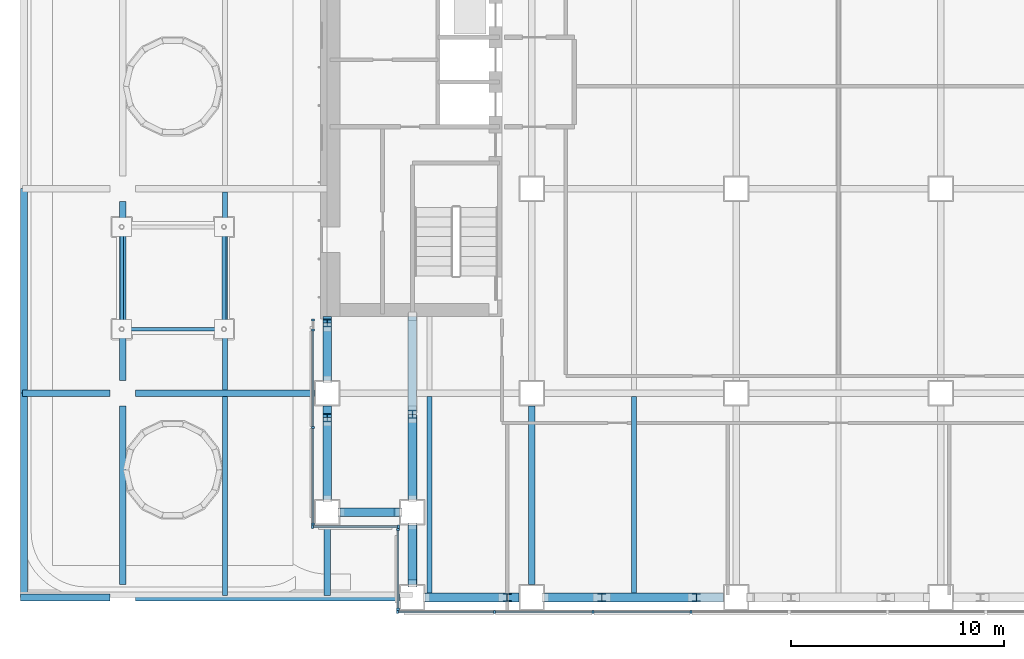
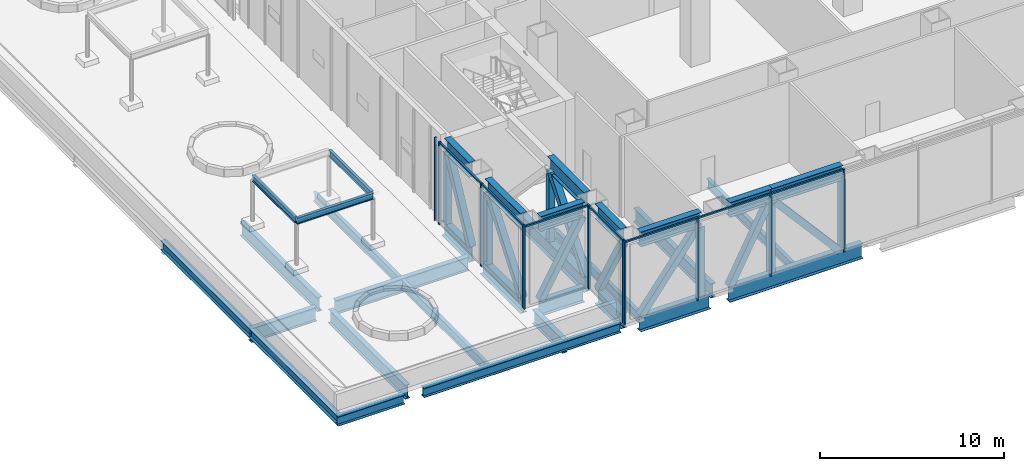
# One storey, part 7 of 39: 48 members, 17 beams, 4 elements without a shape of their own.
"""IFC4 building model written with IfcOpenShell, lengths in metres."""

from ifc_helpers import new_model, si_unit, direction, frame, origin, origin_2d, place, context, subcontext, project, spatial, rectangle, hollow_rectangle, i_section, extrude, material, material_profile, profile_set, type_object, element, aggregate, save


model = new_model("IFC4")

# Units and contexts
model_context = context("Model", 3, precision=1e-05, world=origin(), true_north=direction((0.0, 1.0)))
body_context = subcontext(model_context, "Body", "Model", "MODEL_VIEW")
ifc_project = project(units=[si_unit("LENGTHUNIT", "METRE"), si_unit("AREAUNIT", "SQUARE_METRE"), si_unit("VOLUMEUNIT", "CUBIC_METRE"), si_unit("PLANEANGLEUNIT", "RADIAN"), si_unit("MASSUNIT", "GRAM", prefix="KILO")], contexts=[model_context])

# Site, building, storey
site_placement = place(None, origin())
site = spatial("IfcSite", under=ifc_project, at=site_placement, CompositionType="ELEMENT")
building_placement = place(site_placement, origin())
building = spatial("IfcBuilding", under=site, at=building_placement, Name="Cobrizo Arcos Hotel Tower", CompositionType="ELEMENT")
storey_placement = place(building_placement, frame((0.0, 0.0, 33.5)))
storey = spatial("IfcBuildingStorey", under=building, at=storey_placement, Name="L06", CompositionType="ELEMENT", Elevation=33.5)

# Curtain wall, members
ifc_material_1 = material(Name="Aluminium 6063-T6 anodised bronze", Category="aluminium")
curtain_wall_type = type_object("IfcCurtainWallType", Name="CW-D plant louvre wall", PredefinedType="NOTDEFINED", material=ifc_material_1)
curtain_wall_1_placement = place(storey_placement, origin())
curtain_wall_1 = element("IfcCurtainWall", 1, at=curtain_wall_1_placement, inside=storey, type_object=curtain_wall_type, Name="CW-D L06 S face", PredefinedType="NOTDEFINED")
ifc_material_profile_1 = material_profile(ifc_material_1, rectangle(XDim=0.14990234375, YDim=0.10009765625, at=origin_2d()), Name="CW-D mullion 150x100")
ifc_profile_set_1 = profile_set([ifc_material_profile_1], Name="Aluminium 6063-T6 anodised bronze")
member_type_1 = type_object("IfcMemberType", Name="CW-D mullion 150x100", PredefinedType="MULLION", material=ifc_profile_set_1)
member_1_placement = place(storey_placement, frame((-20.699951171875, -24.675048828125, 0.0), z_axis=(0.0, 0.0, 1.0), x_axis=(0.0, -1.0, 0.0)))
member_1 = element("IfcMember", 2, at=member_1_placement, type_object=member_type_1, Name="CW-D mullion 1", PredefinedType="MULLION", context=body_context, shape_type="SweptSolid", body=[
    extrude(rectangle(XDim=0.14990234375, YDim=0.10009765625, at=origin_2d()), origin(), (0.0, 0.0, 1.0), 5.5),
])
member_2_placement = place(storey_placement, frame((-16.138916015625, -24.675048828125, 0.0), z_axis=(0.0, 0.0, 1.0), x_axis=(0.0, -1.0, 0.0)))
member_2 = element("IfcMember", 3, at=member_2_placement, type_object=member_type_1, Name="CW-D mullion 2", PredefinedType="MULLION", context=body_context, shape_type="SweptSolid", body=[
    extrude(rectangle(XDim=0.14990234375, YDim=0.10009765625, at=origin_2d()), origin(), (0.0, 0.0, 1.0), 5.5),
])
member_3_placement = place(storey_placement, frame((-11.52783203125, -24.675048828125, 0.0), z_axis=(0.0, 0.0, 1.0), x_axis=(0.0, -1.0, 0.0)))
member_3 = element("IfcMember", 4, at=member_3_placement, type_object=member_type_1, Name="CW-D mullion 3", PredefinedType="MULLION", context=body_context, shape_type="SweptSolid", body=[
    extrude(rectangle(XDim=0.14990234375, YDim=0.10009765625, at=origin_2d()), origin(), (0.0, 0.0, 1.0), 5.5),
])
member_4_placement = place(storey_placement, frame((-6.916748046875, -24.675048828125, 0.0), z_axis=(0.0, 0.0, 1.0), x_axis=(0.0, -1.0, 0.0)))
member_4 = element("IfcMember", 5, at=member_4_placement, type_object=member_type_1, Name="CW-D mullion 4", PredefinedType="MULLION", context=body_context, shape_type="SweptSolid", body=[
    extrude(rectangle(XDim=0.14990234375, YDim=0.10009765625, at=origin_2d()), origin(), (0.0, 0.0, 1.0), 5.5),
])

curtain_wall_2_placement = place(storey_placement, origin())
curtain_wall_2 = element("IfcCurtainWall", 6, at=curtain_wall_2_placement, inside=storey, type_object=curtain_wall_type, Name="CW-D L06 W face", PredefinedType="NOTDEFINED")
member_5_placement = place(storey_placement, frame((-24.675048828125, -10.974365234375, 0.0), z_axis=(0.0, 0.0, 1.0), x_axis=(-1.0, 0.0, 0.0)))
member_5 = element("IfcMember", 7, at=member_5_placement, type_object=member_type_1, Name="CW-D mullion 1", PredefinedType="MULLION", context=body_context, shape_type="SweptSolid", body=[
    extrude(rectangle(XDim=0.14990234375, YDim=0.10009765625, at=origin_2d()), origin(), (0.0, 0.0, 1.0), 5.5),
])
member_6_placement = place(storey_placement, frame((-24.675048828125, -11.4443359375, 0.0), z_axis=(0.0, 0.0, 1.0), x_axis=(-1.0, 0.0, 0.0)))
member_6 = element("IfcMember", 8, at=member_6_placement, type_object=member_type_1, Name="CW-D mullion 2", PredefinedType="MULLION", context=body_context, shape_type="SweptSolid", body=[
    extrude(rectangle(XDim=0.14990234375, YDim=0.10009765625, at=origin_2d()), origin(), (0.0, 0.0, 1.0), 5.5),
])
member_7_placement = place(storey_placement, frame((-24.675048828125, -16.022216796875, 0.0), z_axis=(0.0, 0.0, 1.0), x_axis=(-1.0, 0.0, 0.0)))
member_7 = element("IfcMember", 9, at=member_7_placement, type_object=member_type_1, Name="CW-D mullion 3", PredefinedType="MULLION", context=body_context, shape_type="SweptSolid", body=[
    extrude(rectangle(XDim=0.14990234375, YDim=0.10009765625, at=origin_2d()), origin(), (0.0, 0.0, 1.0), 5.5),
])
member_8_placement = place(storey_placement, frame((-24.675048828125, -20.550048828125, 0.0), z_axis=(0.0, 0.0, 1.0), x_axis=(-1.0, 0.0, 0.0)))
member_8 = element("IfcMember", 10, at=member_8_placement, type_object=member_type_1, Name="CW-D mullion 4", PredefinedType="MULLION", context=body_context, shape_type="SweptSolid", body=[
    extrude(rectangle(XDim=0.14990234375, YDim=0.10009765625, at=origin_2d()), origin(), (0.0, 0.0, 1.0), 5.5),
])

curtain_wall_3_placement = place(storey_placement, origin())
curtain_wall_3 = element("IfcCurtainWall", 11, at=curtain_wall_3_placement, inside=storey, type_object=curtain_wall_type, Name="CW-D L06 S face", PredefinedType="NOTDEFINED")
member_9_placement = place(storey_placement, frame((-24.699951171875, -20.675048828125, 0.0), z_axis=(0.0, 0.0, 1.0), x_axis=(0.0, -1.0, 0.0)))
member_9 = element("IfcMember", 12, at=member_9_placement, type_object=member_type_1, Name="CW-D mullion 1", PredefinedType="MULLION", context=body_context, shape_type="SweptSolid", body=[
    extrude(rectangle(XDim=0.14990234375, YDim=0.10009765625, at=origin_2d()), origin(), (0.0, 0.0, 1.0), 5.5),
])
member_10_placement = place(storey_placement, frame((-20.64990234375, -20.675048828125, 0.0), z_axis=(0.0, 0.0, 1.0), x_axis=(0.0, -1.0, 0.0)))
member_10 = element("IfcMember", 13, at=member_10_placement, type_object=member_type_1, Name="CW-D mullion 2", PredefinedType="MULLION", context=body_context, shape_type="SweptSolid", body=[
    extrude(rectangle(XDim=0.14990234375, YDim=0.10009765625, at=origin_2d()), origin(), (0.0, 0.0, 1.0), 5.5),
])

curtain_wall_4_placement = place(storey_placement, origin())
curtain_wall_4 = element("IfcCurtainWall", 14, at=curtain_wall_4_placement, inside=storey, type_object=curtain_wall_type, Name="CW-D L06 W face", PredefinedType="NOTDEFINED")
member_11_placement = place(storey_placement, frame((-20.675048828125, -20.800048828125, 0.0), z_axis=(0.0, 0.0, 1.0), x_axis=(-1.0, 0.0, 0.0)))
member_11 = element("IfcMember", 15, at=member_11_placement, type_object=member_type_1, Name="CW-D mullion 1", PredefinedType="MULLION", context=body_context, shape_type="SweptSolid", body=[
    extrude(rectangle(XDim=0.14990234375, YDim=0.10009765625, at=origin_2d()), origin(), (0.0, 0.0, 1.0), 5.5),
])
member_12_placement = place(storey_placement, frame((-20.675048828125, -24.550048828125, 0.0), z_axis=(0.0, 0.0, 1.0), x_axis=(-1.0, 0.0, 0.0)))
member_12 = element("IfcMember", 16, at=member_12_placement, type_object=member_type_1, Name="CW-D mullion 2", PredefinedType="MULLION", context=body_context, shape_type="SweptSolid", body=[
    extrude(rectangle(XDim=0.14990234375, YDim=0.10009765625, at=origin_2d()), origin(), (0.0, 0.0, 1.0), 5.5),
])

# Member
ifc_material_profile_2 = material_profile(ifc_material_1, rectangle(XDim=0.10009765625, YDim=0.10009765625, at=origin_2d()), Name="CW-D transom 100x100")
ifc_profile_set_2 = profile_set([ifc_material_profile_2], Name="Aluminium 6063-T6 anodised bronze")
member_type_2 = type_object("IfcMemberType", Name="CW-D transom 100x100", PredefinedType="USERDEFINED", material=ifc_profile_set_2)
member_13_placement = place(storey_placement, frame((-20.64990234375, -24.675048828125, 5.449951171875), z_axis=(1.0, 0.0, 0.0), x_axis=(0.0, 1.0, 0.0)))
member_13 = element("IfcMember", 17, at=member_13_placement, type_object=member_type_2, Name="CW-D transom 323", ObjectType="TRANSOM", PredefinedType="USERDEFINED", context=body_context, shape_type="SweptSolid", body=[
    extrude(rectangle(XDim=0.10009765625, YDim=0.10009765625, at=origin_2d()), origin(), (0.0, 0.0, 1.0), 4.4609375),
])

member_14_placement = place(storey_placement, frame((-16.0888671875, -24.675048828125, 5.449951171875), z_axis=(1.0, 0.0, 0.0), x_axis=(0.0, 1.0, 0.0)))
member_14 = element("IfcMember", 18, at=member_14_placement, type_object=member_type_2, Name="CW-D transom 324", ObjectType="TRANSOM", PredefinedType="USERDEFINED", context=body_context, shape_type="SweptSolid", body=[
    extrude(rectangle(XDim=0.10009765625, YDim=0.10009765625, at=origin_2d()), origin(), (0.0, 0.0, 1.0), 4.510986328125),
])

member_15_placement = place(storey_placement, frame((-11.477783203125, -24.675048828125, 5.449951171875), z_axis=(1.0, 0.0, 0.0), x_axis=(0.0, 1.0, 0.0)))
member_15 = element("IfcMember", 19, at=member_15_placement, type_object=member_type_2, Name="CW-D transom 325", ObjectType="TRANSOM", PredefinedType="USERDEFINED", context=body_context, shape_type="SweptSolid", body=[
    extrude(rectangle(XDim=0.10009765625, YDim=0.10009765625, at=origin_2d()), origin(), (0.0, 0.0, 1.0), 4.51123046875),
])

aggregate(curtain_wall_1, [member_1, member_2, member_3, member_4, member_13, member_14, member_15])

member_16_placement = place(storey_placement, frame((-24.675048828125, -11.494384765625, 5.449951171875), z_axis=(0.0, -1.0, 0.0), x_axis=(1.0, 0.0, 0.0)))
member_16 = element("IfcMember", 20, at=member_16_placement, type_object=member_type_2, Name="CW-D transom 357", ObjectType="TRANSOM", PredefinedType="USERDEFINED", context=body_context, shape_type="SweptSolid", body=[
    extrude(rectangle(XDim=0.10009765625, YDim=0.10009765625, at=origin_2d()), origin(), (0.0, 0.0, 1.0), 4.477783203125),
])

member_17_placement = place(storey_placement, frame((-24.675048828125, -16.072265625, 5.449951171875), z_axis=(0.0, -1.0, 0.0), x_axis=(1.0, 0.0, 0.0)))
member_17 = element("IfcMember", 21, at=member_17_placement, type_object=member_type_2, Name="CW-D transom 358", ObjectType="TRANSOM", PredefinedType="USERDEFINED", context=body_context, shape_type="SweptSolid", body=[
    extrude(rectangle(XDim=0.10009765625, YDim=0.10009765625, at=origin_2d()), origin(), (0.0, 0.0, 1.0), 4.427734375),
])

aggregate(curtain_wall_2, [member_5, member_6, member_7, member_8, member_16, member_17])

member_18_placement = place(storey_placement, frame((-24.64990234375, -20.675048828125, 5.449951171875), z_axis=(1.0, 0.0, 0.0), x_axis=(0.0, 1.0, 0.0)))
member_18 = element("IfcMember", 22, at=member_18_placement, type_object=member_type_2, Name="CW-D transom 359", ObjectType="TRANSOM", PredefinedType="USERDEFINED", context=body_context, shape_type="SweptSolid", body=[
    extrude(rectangle(XDim=0.10009765625, YDim=0.10009765625, at=origin_2d()), origin(), (0.0, 0.0, 1.0), 3.949951171875),
])

aggregate(curtain_wall_3, [member_9, member_10, member_18])

member_19_placement = place(storey_placement, frame((-20.675048828125, -20.85009765625, 5.449951171875), z_axis=(0.0, -1.0, 0.0), x_axis=(1.0, 0.0, 0.0)))
member_19 = element("IfcMember", 23, at=member_19_placement, type_object=member_type_2, Name="CW-D transom 360", ObjectType="TRANSOM", PredefinedType="USERDEFINED", context=body_context, shape_type="SweptSolid", body=[
    extrude(rectangle(XDim=0.10009765625, YDim=0.10009765625, at=origin_2d()), origin(), (0.0, 0.0, 1.0), 3.64990234375),
])

aggregate(curtain_wall_4, [member_11, member_12, member_19])

# Members
ifc_material_2 = material(Name="Steel ASTM A500 Grade C", Category="steel")
ifc_material_profile_3 = material_profile(ifc_material_2, hollow_rectangle(XDim=0.406494140625, YDim=0.406494140625, WallThickness=0.014892578125, at=origin_2d()), Name="HSS16X16X5/8")
ifc_profile_set_3 = profile_set([ifc_material_profile_3], Name="Steel ASTM A500 Grade C")
member_type_3 = type_object("IfcMemberType", Name="HSS16X16X5/8 truss diagonal", PredefinedType="BRACE", material=ifc_profile_set_3)
member_20_placement = place(storey_placement, frame((-19.320068359375, -24.0, -0.300048828125), z_axis=(0.607544335185, 0.0, 0.794285767709), x_axis=(0.0, 1.0, 0.0)))
element("IfcMember", 24, at=member_20_placement, inside=storey, type_object=member_type_3, Name="Belt truss diagonal TD1, L06, no. 001", PredefinedType="BRACE", context=body_context, shape_type="SweptSolid", body=[
    extrude(hollow_rectangle(XDim=0.406494140625, YDim=0.406494140625, WallThickness=0.014892578125, at=origin_2d()), origin(), (0.0, 0.0, 1.0), 5.8662109375),
])
member_21_placement = place(storey_placement, frame((-13.719970703125, -24.0, -0.300048828125), z_axis=(0.45925576927, 0.0, 0.888304079914), x_axis=(0.0, 1.0, 0.0)))
element("IfcMember", 25, at=member_21_placement, inside=storey, type_object=member_type_3, Name="Belt truss diagonal TD1, L06, no. 002", PredefinedType="BRACE", context=body_context, shape_type="SweptSolid", body=[
    extrude(hollow_rectangle(XDim=0.406494140625, YDim=0.406494140625, WallThickness=0.014892578125, at=origin_2d()), origin(), (0.0, 0.0, 1.0), 5.245361328125),
])
member_22_placement = place(storey_placement, frame((-10.910888671875, -24.0, 4.359375), z_axis=(0.655465194601, 0.0, -0.755225382695), x_axis=(0.0, 1.0, 0.0)))
element("IfcMember", 26, at=member_22_placement, inside=storey, type_object=member_type_3, Name="Belt truss diagonal TD1, L06, no. 003", PredefinedType="BRACE", context=body_context, shape_type="SweptSolid", body=[
    extrude(hollow_rectangle(XDim=0.406494140625, YDim=0.406494140625, WallThickness=0.014892578125, at=origin_2d()), origin(), (0.0, 0.0, 1.0), 6.169677734375),
])
member_23_placement = place(storey_placement, frame((-24.0, -11.31103515625, 4.359375), z_axis=(0.0, -0.45925576927, -0.888304079914), x_axis=(1.0, 0.0, 0.0)))
element("IfcMember", 27, at=member_23_placement, inside=storey, type_object=member_type_3, Name="Belt truss diagonal TD1, L06, no. 031", PredefinedType="BRACE", context=body_context, shape_type="SweptSolid", body=[
    extrude(hollow_rectangle(XDim=0.406494140625, YDim=0.406494140625, WallThickness=0.014892578125, at=origin_2d()), origin(), (0.0, 0.0, 1.0), 5.245361328125),
])
member_24_placement = place(storey_placement, frame((-24.0, -15.756103515625, 4.359375), z_axis=(0.0, -0.607544335185, -0.794285767709), x_axis=(1.0, 0.0, 0.0)))
element("IfcMember", 28, at=member_24_placement, inside=storey, type_object=member_type_3, Name="Belt truss diagonal TD1, L06, no. 032", PredefinedType="BRACE", context=body_context, shape_type="SweptSolid", body=[
    extrude(hollow_rectangle(XDim=0.406494140625, YDim=0.406494140625, WallThickness=0.014892578125, at=origin_2d()), origin(), (0.0, 0.0, 1.0), 5.8662109375),
])
for number, where, z_axis, x_axis, name in (
    (29, (-23.320068359375, -20.0, -0.300048828125), (0.492983815895, 0.0, 0.870038480336), (0.0, 1.0, 0.0), "Belt truss diagonal TD1, L06, no. 033"),
    (30, (-20.0, -20.679931640625, -0.300048828125), (0.0, -0.492983815895, 0.870038480336), (1.0, 0.0, 0.0), "Belt truss diagonal TD1, L06, no. 034"),
):
    element("IfcMember", number, at=place(storey_placement, frame(where, z_axis=z_axis, x_axis=x_axis)), inside=storey, type_object=member_type_3, Name=name, PredefinedType="BRACE", context=body_context, shape_type="SweptSolid", body=[
        extrude(hollow_rectangle(XDim=0.406494140625, YDim=0.406494140625, WallThickness=0.014892578125, at=origin_2d()), origin(), (0.0, 0.0, 1.0), 5.35546875),
    ])
member_25_placement = place(storey_placement, frame((-20.0, -15.60009765625, 4.359375), z_axis=(0.0, -0.623920728492, -0.781487635576), x_axis=(1.0, 0.0, 0.0)))
element("IfcMember", 31, at=member_25_placement, inside=storey, type_object=member_type_3, Name="Outrigger diagonal TD1, L06, no. 008", PredefinedType="BRACE", context=body_context, shape_type="SweptSolid", body=[
    extrude(hollow_rectangle(XDim=0.406494140625, YDim=0.406494140625, WallThickness=0.014892578125, at=origin_2d()), origin(), (0.0, 0.0, 1.0), 5.962158203125),
])
ifc_material_3 = material(Name="Steel ASTM A992 Grade 50", Category="steel")
ifc_material_profile_4 = material_profile(ifc_material_3, i_section(OverallWidth=0.373291015625, OverallDepth=0.373291015625, WebThickness=0.016357421875, FlangeThickness=0.026123046875, at=origin_2d()), Name="W14X132")
ifc_profile_set_4 = profile_set([ifc_material_profile_4], Name="Steel ASTM A992 Grade 50")
member_type_4 = type_object("IfcMemberType", Name="W14X132 truss post", PredefinedType="POST", material=ifc_profile_set_4)
for number, where, z_axis, x_axis, name in (
    (32, (-15.555908203125, -24.0, -0.300048828125), (0.0, 0.0, 1.0), (1.0, 0.0, 0.0), "Truss post TP1, L06, no. 001"),
    (33, (-11.111083984375, -24.0, -0.300048828125), (0.0, 0.0, 1.0), (1.0, 0.0, 0.0), "Truss post TP1, L06, no. 002"),
    (34, (-6.6669921875, -24.0, -0.300048828125), (0.0, 0.0, 1.0), (1.0, 0.0, 0.0), "Truss post TP1, L06, no. 003"),
    (35, (-24.0, -11.111083984375, -0.300048828125), (0.0, 0.0, 1.0), (1.0, 0.0, 0.0), "Truss post TP1, L06, no. 023"),
    (36, (-24.0, -15.555908203125, -0.300048828125), (0.0, 0.0, 1.0), (1.0, 0.0, 0.0), "Truss post TP1, L06, no. 024"),
    (37, (-20.0, -15.39990234375, -0.300048828125), (0.0, 0.0, 1.0), (1.0, 0.0, 0.0), "Truss post TP1, L06, no. 027"),
):
    element("IfcMember", number, at=place(storey_placement, frame(where, z_axis=z_axis, x_axis=x_axis)), inside=storey, type_object=member_type_4, Name=name, PredefinedType="POST", context=body_context, shape_type="SweptSolid", body=[
        extrude(i_section(OverallWidth=0.373291015625, OverallDepth=0.373291015625, WebThickness=0.016357421875, FlangeThickness=0.026123046875, at=origin_2d()), origin(), (0.0, 0.0, 1.0), 4.659423828125),
    ])

# Beams
ifc_material_profile_5 = material_profile(ifc_material_3, i_section(OverallWidth=0.177734375, OverallDepth=0.406494140625, WebThickness=0.0078125, FlangeThickness=0.0126953125, at=origin_2d()), Name="W16X40")
ifc_profile_set_5 = profile_set([ifc_material_profile_5], Name="Steel ASTM A992 Grade 50")
beam_type_1 = type_object("IfcBeamType", Name="W16X40 pavilion beam", PredefinedType="BEAM", material=ifc_profile_set_5)
beam_1_placement = place(storey_placement, frame((-33.64990234375, -11.39990234375, 3.353271484375), z_axis=(1.0, 0.0, 0.0), x_axis=(0.0, 1.0, 0.0)))
element("IfcBeam", 38, at=beam_1_placement, inside=storey, type_object=beam_type_1, Name="Pavilion 1 beam 1", PredefinedType="BEAM", context=body_context, shape_type="SweptSolid", body=[
    extrude(i_section(OverallWidth=0.177734375, OverallDepth=0.406494140625, WebThickness=0.0078125, FlangeThickness=0.0126953125, at=origin_2d()), origin(), (0.0, 0.0, 1.0), 4.7998046875),
])
for number, where, z_axis, x_axis, name in (
    (39, (-28.85009765625, -11.300048828125, 3.353271484375), (0.0, 1.0, 0.0), (-1.0, 0.0, 0.0), "Pavilion 1 beam 2"),
    (40, (-33.64990234375, -6.699951171875, 3.353271484375), (0.0, -1.0, 0.0), (1.0, 0.0, 0.0), "Pavilion 1 beam 4"),
):
    element("IfcBeam", number, at=place(storey_placement, frame(where, z_axis=z_axis, x_axis=x_axis)), inside=storey, type_object=beam_type_1, Name=name, PredefinedType="BEAM", context=body_context, shape_type="SweptSolid", body=[
        extrude(i_section(OverallWidth=0.177734375, OverallDepth=0.406494140625, WebThickness=0.0078125, FlangeThickness=0.0126953125, at=origin_2d()), origin(), (0.0, 0.0, 1.0), 4.60009765625),
    ])
ifc_material_profile_6 = material_profile(ifc_material_3, i_section(OverallWidth=0.32763671875, OverallDepth=0.622314453125, WebThickness=0.015380859375, FlangeThickness=0.0244140625, at=origin_2d()), Name="W24X131")
ifc_profile_set_6 = profile_set([ifc_material_profile_6], Name="Steel ASTM A992 Grade 50")
beam_type_2 = type_object("IfcBeamType", Name="W24X131 edge beam", PredefinedType="BEAM", material=ifc_profile_set_6)
beam_2_placement = place(storey_placement, frame((-34.199951171875, -24.0, -0.611083984375), z_axis=(-1.0, 0.0, 0.0), x_axis=(0.0, -1.0, 0.0)))
element("IfcBeam", 41, at=beam_2_placement, inside=storey, type_object=beam_type_2, Name="Edge beam EB1, L06, no. 009", PredefinedType="BEAM", context=body_context, shape_type="SweptSolid", body=[
    extrude(i_section(OverallWidth=0.32763671875, OverallDepth=0.622314453125, WebThickness=0.015380859375, FlangeThickness=0.0244140625, at=origin_2d()), origin(), (0.0, 0.0, 1.0), 4.199951171875),
])
beam_3_placement = place(storey_placement, frame((-38.236083984375, -24.0, -0.611083984375), z_axis=(0.0, 1.0, 0.0), x_axis=(-1.0, 0.0, 0.0)))
element("IfcBeam", 42, at=beam_3_placement, inside=storey, type_object=beam_type_2, Name="Edge beam EB1, L06, no. 010", PredefinedType="BEAM", context=body_context, shape_type="SweptSolid", body=[
    extrude(i_section(OverallWidth=0.32763671875, OverallDepth=0.622314453125, WebThickness=0.015380859375, FlangeThickness=0.0244140625, at=origin_2d()), origin(), (0.0, 0.0, 1.0), 9.60009765625),
])
beam_4_placement = place(storey_placement, frame((-38.236083984375, -14.39990234375, -0.611083984375), z_axis=(0.0, 1.0, 0.0), x_axis=(-1.0, 0.0, 0.0)))
element("IfcBeam", 43, at=beam_4_placement, inside=storey, type_object=beam_type_2, Name="Edge beam EB1, L06, no. 011", PredefinedType="BEAM", context=body_context, shape_type="SweptSolid", body=[
    extrude(i_section(OverallWidth=0.32763671875, OverallDepth=0.622314453125, WebThickness=0.015380859375, FlangeThickness=0.0244140625, at=origin_2d()), origin(), (0.0, 0.0, 1.0), 9.599853515625),
])
ifc_material_profile_7 = material_profile(ifc_material_3, i_section(OverallWidth=0.32763671875, OverallDepth=0.622314453125, WebThickness=0.015380859375, FlangeThickness=0.0244140625, at=origin_2d()), Name="W24X131")
ifc_profile_set_7 = profile_set([ifc_material_profile_7], Name="Steel ASTM A992 Grade 50")
beam_type_3 = type_object("IfcBeamType", Name="W24X131 spandrel", PredefinedType="SPANDREL", material=ifc_profile_set_7)
beam_5_placement = place(storey_placement, frame((-20.60009765625, -24.0, -0.611083984375), z_axis=(-1.0, 0.0, 0.0), x_axis=(0.0, -1.0, 0.0)))
element("IfcBeam", 44, at=beam_5_placement, inside=storey, type_object=beam_type_3, Name="Spandrel beam W24X131, L06, no. 004", PredefinedType="SPANDREL", context=body_context, shape_type="SweptSolid", body=[
    extrude(i_section(OverallWidth=0.32763671875, OverallDepth=0.622314453125, WebThickness=0.015380859375, FlangeThickness=0.0244140625, at=origin_2d()), origin(), (0.0, 0.0, 1.0), 12.39990234375),
])
ifc_material_profile_8 = material_profile(ifc_material_3, i_section(OverallWidth=0.23046875, OverallDepth=0.6171875, WebThickness=0.01318359375, FlangeThickness=0.022216796875, at=origin_2d()), Name="W24X94")
ifc_profile_set_8 = profile_set([ifc_material_profile_8], Name="Steel ASTM A992 Grade 50")
beam_type_4 = type_object("IfcBeamType", Name="W24X94 podium joist", PredefinedType="JOIST", material=ifc_profile_set_8)
beam_6_placement = place(storey_placement, frame((-28.800048828125, -23.909912109375, -0.608642578125), z_axis=(0.0, 1.0, 0.0), x_axis=(-1.0, 0.0, 0.0)))
element("IfcBeam", 45, at=beam_6_placement, inside=storey, type_object=beam_type_4, Name="Podium joist PJ1, L06, no. 001", PredefinedType="JOIST", context=body_context, shape_type="SweptSolid", body=[
    extrude(i_section(OverallWidth=0.23046875, OverallDepth=0.6171875, WebThickness=0.01318359375, FlangeThickness=0.022216796875, at=origin_2d()), origin(), (0.0, 0.0, 1.0), 9.356201171875),
])
beam_7_placement = place(storey_placement, frame((-28.800048828125, -14.246337890625, -0.608642578125), z_axis=(0.0, 1.0, 0.0), x_axis=(-1.0, 0.0, 0.0)))
element("IfcBeam", 46, at=beam_7_placement, inside=storey, type_object=beam_type_4, Name="Podium joist PJ1, L06, no. 002", PredefinedType="JOIST", context=body_context, shape_type="SweptSolid", body=[
    extrude(i_section(OverallWidth=0.23046875, OverallDepth=0.6171875, WebThickness=0.01318359375, FlangeThickness=0.022216796875, at=origin_2d()), origin(), (0.0, 0.0, 1.0), 9.292724609375),
])
for number, where, z_axis, x_axis, name in (
    (47, (-19.199951171875, -23.799560546875, -0.608642578125), (0.0, 1.0, 0.0), (-1.0, 0.0, 0.0), "Podium joist PJ1, L06, no. 006"),
    (48, (-9.60009765625, -23.799560546875, -0.608642578125), (0.0, 1.0, 0.0), (-1.0, 0.0, 0.0), "Podium joist PJ1, L06, no. 010"),
):
    element("IfcBeam", number, at=place(storey_placement, frame(where, z_axis=z_axis, x_axis=x_axis)), inside=storey, type_object=beam_type_4, Name=name, PredefinedType="JOIST", context=body_context, shape_type="SweptSolid", body=[
        extrude(i_section(OverallWidth=0.23046875, OverallDepth=0.6171875, WebThickness=0.01318359375, FlangeThickness=0.022216796875, at=origin_2d()), origin(), (0.0, 0.0, 1.0), 9.245849609375),
    ])
ifc_material_profile_9 = material_profile(ifc_material_3, i_section(OverallWidth=0.307373046875, OverallDepth=0.927001953125, WebThickness=0.01953125, FlangeThickness=0.031982421875, at=origin_2d()), Name="W36X194")
ifc_profile_set_9 = profile_set([ifc_material_profile_9], Name="Steel ASTM A992 Grade 50")
beam_type_5 = type_object("IfcBeamType", Name="W36X194 podium girder", PredefinedType="BEAM", material=ifc_profile_set_9)
beam_8_placement = place(storey_placement, frame((-38.31005859375, -14.39990234375, -0.763427734375), z_axis=(1.0, 0.0, 0.0), x_axis=(0.0, 1.0, 0.0)))
element("IfcBeam", 49, at=beam_8_placement, inside=storey, type_object=beam_type_5, Name="Podium girder PG1, L06, no. 001", PredefinedType="BEAM", context=body_context, shape_type="SweptSolid", body=[
    extrude(i_section(OverallWidth=0.307373046875, OverallDepth=0.927001953125, WebThickness=0.01953125, FlangeThickness=0.031982421875, at=origin_2d()), origin(), (0.0, 0.0, 1.0), 4.110107421875),
])
for number, where, z_axis, x_axis, name in (
    (50, (-33.0, -14.39990234375, -0.763427734375), (1.0, 0.0, 0.0), (0.0, 1.0, 0.0), "Podium girder PG1, L06, no. 002"),
    (51, (-33.60009765625, -23.39990234375, -0.763427734375), (0.0, 1.0, 0.0), (-1.0, 0.0, 0.0), "Podium girder PG1, L06, no. 039"),
):
    element("IfcBeam", number, at=place(storey_placement, frame(where, z_axis=z_axis, x_axis=x_axis)), inside=storey, type_object=beam_type_5, Name=name, PredefinedType="BEAM", context=body_context, shape_type="SweptSolid", body=[
        extrude(i_section(OverallWidth=0.307373046875, OverallDepth=0.927001953125, WebThickness=0.01953125, FlangeThickness=0.031982421875, at=origin_2d()), origin(), (0.0, 0.0, 1.0), 8.39990234375),
    ])
beam_9_placement = place(storey_placement, frame((-33.60009765625, -13.800048828125, -0.763427734375), z_axis=(0.0, 1.0, 0.0), x_axis=(-1.0, 0.0, 0.0)))
element("IfcBeam", 52, at=beam_9_placement, inside=storey, type_object=beam_type_5, Name="Podium girder PG1, L06, no. 040", PredefinedType="BEAM", context=body_context, shape_type="SweptSolid", body=[
    extrude(i_section(OverallWidth=0.307373046875, OverallDepth=0.927001953125, WebThickness=0.01953125, FlangeThickness=0.031982421875, at=origin_2d()), origin(), (0.0, 0.0, 1.0), 8.400146484375),
])
beam_10_placement = place(storey_placement, frame((-24.0, -23.909912109375, -0.763427734375), z_axis=(0.0, 1.0, 0.0), x_axis=(-1.0, 0.0, 0.0)))
element("IfcBeam", 53, at=beam_10_placement, inside=storey, type_object=beam_type_5, Name="Podium girder PG1, L06, no. 044", PredefinedType="BEAM", context=body_context, shape_type="SweptSolid", body=[
    extrude(i_section(OverallWidth=0.307373046875, OverallDepth=0.927001953125, WebThickness=0.01953125, FlangeThickness=0.031982421875, at=origin_2d()), origin(), (0.0, 0.0, 1.0), 3.309814453125),
])
beam_11_placement = place(storey_placement, frame((-14.39990234375, -23.39990234375, -0.763427734375), z_axis=(0.0, 1.0, 0.0), x_axis=(-1.0, 0.0, 0.0)))
element("IfcBeam", 54, at=beam_11_placement, inside=storey, type_object=beam_type_5, Name="Podium girder PG1, L06, no. 046", PredefinedType="BEAM", context=body_context, shape_type="SweptSolid", body=[
    extrude(i_section(OverallWidth=0.307373046875, OverallDepth=0.927001953125, WebThickness=0.01953125, FlangeThickness=0.031982421875, at=origin_2d()), origin(), (0.0, 0.0, 1.0), 8.39990234375),
])

# Members
ifc_material_profile_10 = material_profile(ifc_material_3, i_section(OverallWidth=0.4013671875, OverallDepth=0.990478515625, WebThickness=0.0166015625, FlangeThickness=0.025390625, at=origin_2d()), Name="W40X215")
ifc_profile_set_10 = profile_set([ifc_material_profile_10], Name="Steel ASTM A992 Grade 50")
member_type_5 = type_object("IfcMemberType", Name="W40X215 belt truss chord", PredefinedType="CHORD", material=ifc_profile_set_10)
member_26_placement = place(storey_placement, frame((-19.39990234375, -24.0, -0.79541015625), z_axis=(1.0, 0.0, 0.0), x_axis=(0.0, 1.0, 0.0)))
element("IfcMember", 55, at=member_26_placement, inside=storey, type_object=member_type_5, Name="Belt truss bottom chord TC1, L06, no. 001", PredefinedType="CHORD", context=body_context, shape_type="SweptSolid", body=[
    extrude(i_section(OverallWidth=0.4013671875, OverallDepth=0.990478515625, WebThickness=0.0166015625, FlangeThickness=0.025390625, at=origin_2d()), origin(), (0.0, 0.0, 1.0), 4.39990234375),
])
member_27_placement = place(storey_placement, frame((-13.800048828125, -24.0, -0.79541015625), z_axis=(1.0, 0.0, 0.0), x_axis=(0.0, 1.0, 0.0)))
element("IfcMember", 56, at=member_27_placement, inside=storey, type_object=member_type_5, Name="Belt truss bottom chord TC1, L06, no. 002", PredefinedType="CHORD", context=body_context, shape_type="SweptSolid", body=[
    extrude(i_section(OverallWidth=0.4013671875, OverallDepth=0.990478515625, WebThickness=0.0166015625, FlangeThickness=0.025390625, at=origin_2d()), origin(), (0.0, 0.0, 1.0), 8.400146484375),
])
member_28_placement = place(storey_placement, frame((-19.39990234375, -24.0, 4.854736328125), z_axis=(1.0, 0.0, 0.0), x_axis=(0.0, 1.0, 0.0)))
element("IfcMember", 57, at=member_28_placement, inside=storey, type_object=member_type_5, Name="Belt truss top chord TC1, L06, no. 001", PredefinedType="CHORD", context=body_context, shape_type="SweptSolid", body=[
    extrude(i_section(OverallWidth=0.4013671875, OverallDepth=0.990478515625, WebThickness=0.0166015625, FlangeThickness=0.025390625, at=origin_2d()), origin(), (0.0, 0.0, 1.0), 3.843994140625),
])
member_29_placement = place(storey_placement, frame((-13.800048828125, -24.0, 4.854736328125), z_axis=(1.0, 0.0, 0.0), x_axis=(0.0, 1.0, 0.0)))
element("IfcMember", 58, at=member_29_placement, inside=storey, type_object=member_type_5, Name="Belt truss top chord TC1, L06, no. 002", PredefinedType="CHORD", context=body_context, shape_type="SweptSolid", body=[
    extrude(i_section(OverallWidth=0.4013671875, OverallDepth=0.990478515625, WebThickness=0.0166015625, FlangeThickness=0.025390625, at=origin_2d()), origin(), (0.0, 0.0, 1.0), 2.68896484375),
])
member_30_placement = place(storey_placement, frame((-11.111083984375, -24.0, 4.854736328125), z_axis=(1.0, 0.0, 0.0), x_axis=(0.0, 1.0, 0.0)))
element("IfcMember", 59, at=member_30_placement, inside=storey, type_object=member_type_5, Name="Belt truss top chord TC1, L06, no. 003", PredefinedType="CHORD", context=body_context, shape_type="SweptSolid", body=[
    extrude(i_section(OverallWidth=0.4013671875, OverallDepth=0.990478515625, WebThickness=0.0166015625, FlangeThickness=0.025390625, at=origin_2d()), origin(), (0.0, 0.0, 1.0), 4.444091796875),
])
member_31_placement = place(storey_placement, frame((-24.0, -10.801025390625, -0.79541015625), z_axis=(0.0, -1.0, 0.0), x_axis=(1.0, 0.0, 0.0)))
element("IfcMember", 60, at=member_31_placement, inside=storey, type_object=member_type_5, Name="Belt truss bottom chord TC1, L06, no. 023", PredefinedType="CHORD", context=body_context, shape_type="SweptSolid", body=[
    extrude(i_section(OverallWidth=0.4013671875, OverallDepth=0.990478515625, WebThickness=0.0166015625, FlangeThickness=0.025390625, at=origin_2d()), origin(), (0.0, 0.0, 1.0), 2.9990234375),
])
member_32_placement = place(storey_placement, frame((-24.0, -15.0, -0.79541015625), z_axis=(0.0, -1.0, 0.0), x_axis=(1.0, 0.0, 0.0)))
element("IfcMember", 61, at=member_32_placement, inside=storey, type_object=member_type_5, Name="Belt truss bottom chord TC1, L06, no. 024", PredefinedType="CHORD", context=body_context, shape_type="SweptSolid", body=[
    extrude(i_section(OverallWidth=0.4013671875, OverallDepth=0.990478515625, WebThickness=0.0166015625, FlangeThickness=0.025390625, at=origin_2d()), origin(), (0.0, 0.0, 1.0), 4.39990234375),
])
member_33_placement = place(storey_placement, frame((-24.0, -11.111083984375, 4.854736328125), z_axis=(0.0, -1.0, 0.0), x_axis=(1.0, 0.0, 0.0)))
element("IfcMember", 62, at=member_33_placement, inside=storey, type_object=member_type_5, Name="Belt truss top chord TC1, L06, no. 035", PredefinedType="CHORD", context=body_context, shape_type="SweptSolid", body=[
    extrude(i_section(OverallWidth=0.4013671875, OverallDepth=0.990478515625, WebThickness=0.0166015625, FlangeThickness=0.025390625, at=origin_2d()), origin(), (0.0, 0.0, 1.0), 2.68896484375),
])
member_34_placement = place(storey_placement, frame((-24.0, -15.555908203125, 4.854736328125), z_axis=(0.0, -1.0, 0.0), x_axis=(1.0, 0.0, 0.0)))
element("IfcMember", 63, at=member_34_placement, inside=storey, type_object=member_type_5, Name="Belt truss top chord TC1, L06, no. 036", PredefinedType="CHORD", context=body_context, shape_type="SweptSolid", body=[
    extrude(i_section(OverallWidth=0.4013671875, OverallDepth=0.990478515625, WebThickness=0.0166015625, FlangeThickness=0.025390625, at=origin_2d()), origin(), (0.0, 0.0, 1.0), 3.843994140625),
])
for number, where, z_axis, x_axis, name in (
    (64, (-23.39990234375, -20.0, -0.79541015625), (1.0, 0.0, 0.0), (0.0, 1.0, 0.0), "Belt truss bottom chord TC1, L06, no. 025"),
    (65, (-23.39990234375, -20.0, 4.854736328125), (1.0, 0.0, 0.0), (0.0, 1.0, 0.0), "Belt truss top chord TC1, L06, no. 037"),
    (66, (-20.0, -20.60009765625, -0.79541015625), (0.0, -1.0, 0.0), (1.0, 0.0, 0.0), "Belt truss bottom chord TC1, L06, no. 026"),
    (67, (-20.0, -20.60009765625, 4.854736328125), (0.0, -1.0, 0.0), (1.0, 0.0, 0.0), "Belt truss top chord TC1, L06, no. 038"),
):
    element("IfcMember", number, at=place(storey_placement, frame(where, z_axis=z_axis, x_axis=x_axis)), inside=storey, type_object=member_type_5, Name=name, PredefinedType="CHORD", context=body_context, shape_type="SweptSolid", body=[
        extrude(i_section(OverallWidth=0.4013671875, OverallDepth=0.990478515625, WebThickness=0.0166015625, FlangeThickness=0.025390625, at=origin_2d()), origin(), (0.0, 0.0, 1.0), 2.7998046875),
    ])
member_35_placement = place(storey_placement, frame((-20.0, -10.800048828125, -0.79541015625), z_axis=(0.0, -1.0, 0.0), x_axis=(1.0, 0.0, 0.0)))
element("IfcMember", 68, at=member_35_placement, inside=storey, type_object=member_type_5, Name="Outrigger bottom chord TC1, L06, no. 005", PredefinedType="CHORD", context=body_context, shape_type="SweptSolid", body=[
    extrude(i_section(OverallWidth=0.4013671875, OverallDepth=0.990478515625, WebThickness=0.0166015625, FlangeThickness=0.025390625, at=origin_2d()), origin(), (0.0, 0.0, 1.0), 8.599853515625),
])
member_36_placement = place(storey_placement, frame((-20.0, -15.39990234375, 4.854736328125), z_axis=(0.0, -1.0, 0.0), x_axis=(1.0, 0.0, 0.0)))
element("IfcMember", 69, at=member_36_placement, inside=storey, type_object=member_type_5, Name="Outrigger top chord TC1, L06, no. 008", PredefinedType="CHORD", context=body_context, shape_type="SweptSolid", body=[
    extrude(i_section(OverallWidth=0.4013671875, OverallDepth=0.990478515625, WebThickness=0.0166015625, FlangeThickness=0.025390625, at=origin_2d()), origin(), (0.0, 0.0, 1.0), 4.0),
])

save(model, "model.ifc")
